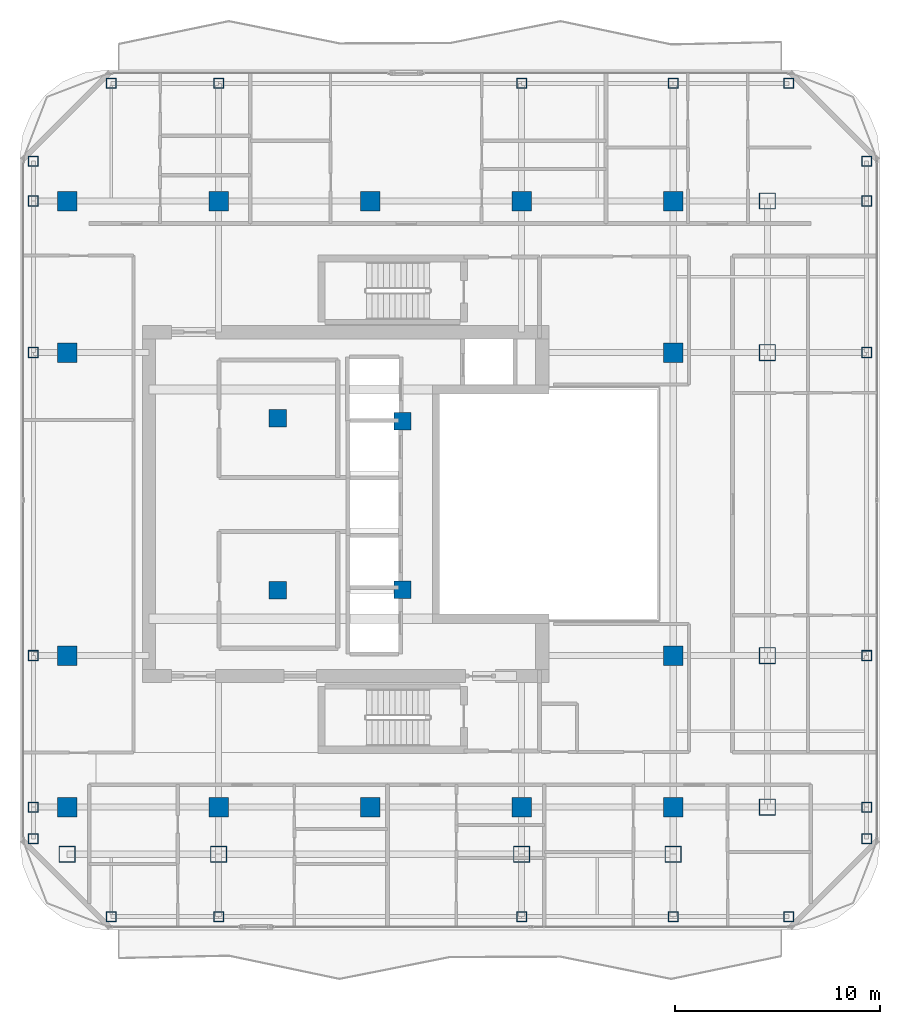
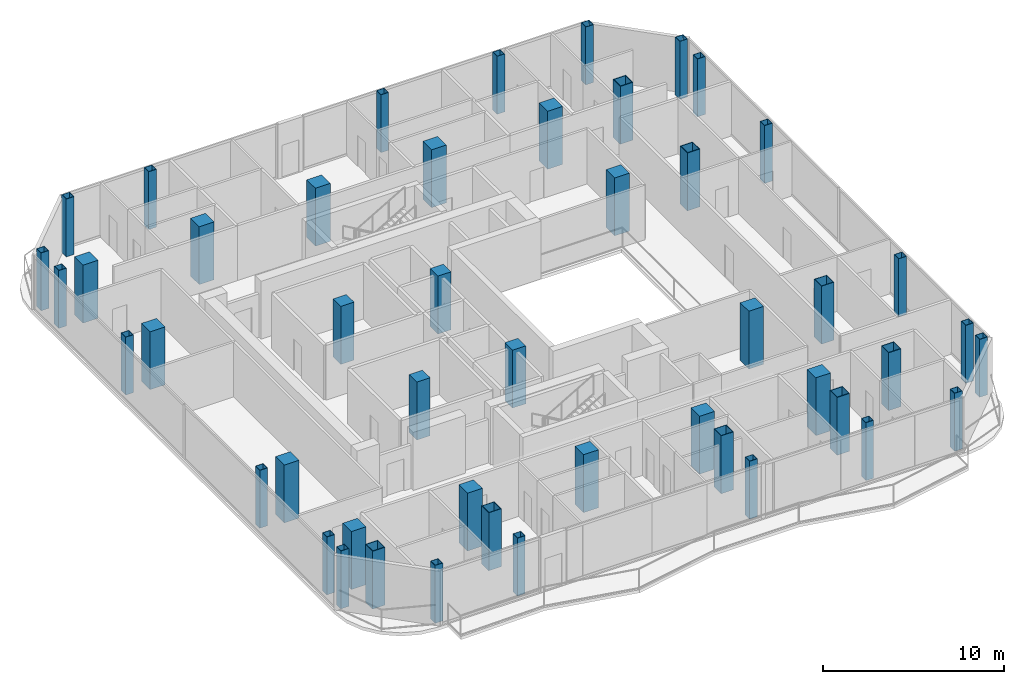
# One storey, part 1 of 23: 48 columns.
"""IFC4 building model written with IfcOpenShell, lengths in metres."""

from ifc_helpers import new_model, si_unit, direction, frame, origin, origin_2d, place, context, subcontext, project, spatial, rectangle, hollow_rectangle, extrude, material, material_profile, profile_set, type_object, element, save


model = new_model("IFC4")

# Units and contexts
model_context = context("Model", 3, precision=1e-05, world=origin(), true_north=direction((0.0, 1.0)))
body_context = subcontext(model_context, "Body", "Model", "MODEL_VIEW")
ifc_project = project(units=[si_unit("LENGTHUNIT", "METRE"), si_unit("AREAUNIT", "SQUARE_METRE"), si_unit("VOLUMEUNIT", "CUBIC_METRE"), si_unit("PLANEANGLEUNIT", "RADIAN"), si_unit("MASSUNIT", "GRAM", prefix="KILO")], contexts=[model_context])

# Site, building, storey
site_placement = place(None, origin())
site = spatial("IfcSite", under=ifc_project, at=site_placement, CompositionType="ELEMENT")
building_placement = place(site_placement, origin())
building = spatial("IfcBuilding", under=site, at=building_placement, Name="Khorvyn Point Tower", CompositionType="ELEMENT")
storey_placement = place(building_placement, frame((0.0, 0.0, 274.199951171875)))
storey = spatial("IfcBuildingStorey", under=building, at=storey_placement, Name="L67", CompositionType="ELEMENT", Elevation=274.199951171875)

# Columns
ifc_material_1 = material(Name="Concrete C40/50", Category="concrete")
ifc_material_profile_1 = material_profile(ifc_material_1, rectangle(XDim=0.85009765625, YDim=0.85009765625, at=origin_2d()))
ifc_profile_set_1 = profile_set([ifc_material_profile_1], Name="Concrete C40/50 RC850x850")
column_type_1 = type_object("IfcColumnType", Name="Concrete C40/50 Column RC850x850", PredefinedType="COLUMN", material=ifc_profile_set_1)
for number, where, z_axis, x_axis, name in (
    (1, (-4.52001953125, -4.199951171875, 0.0), (0.0, 0.0, 1.0), (1.0, 0.0, 0.0), "L67 Crown Core Spine Column 1"),
    (2, (1.580078125, -4.179931640625, 0.0), (0.0, 0.0, 1.0), (1.0, 0.0, 0.0), "L67 Crown Core Spine Column 2"),
    (3, (1.580078125, 4.050048828125, 0.0), (0.0, 0.0, 1.0), (1.0, 0.0, 0.0), "L67 Crown Core Spine Column 3"),
    (4, (-4.52001953125, 4.199951171875, 0.0), (0.0, 0.0, 1.0), (1.0, 0.0, 0.0), "L67 Crown Core Spine Column 4"),
):
    element("IfcColumn", number, at=place(storey_placement, frame(where, z_axis=z_axis, x_axis=x_axis)), inside=storey, type_object=column_type_1, Name=name, PredefinedType="COLUMN", context=body_context, shape_type="SweptSolid", body=[
        extrude(rectangle(XDim=0.85009765625, YDim=0.85009765625, at=origin_2d()), origin(), (0.0, 0.0, 1.0), 3.900146484375),
    ])
ifc_material_profile_2 = material_profile(ifc_material_1, rectangle(XDim=0.949951171875, YDim=0.949951171875, at=origin_2d()))
ifc_profile_set_2 = profile_set([ifc_material_profile_2], Name="Concrete C40/50 RC950x950")
column_type_2 = type_object("IfcColumnType", Name="Concrete C40/50 Column RC950x950", PredefinedType="COLUMN", material=ifc_profile_set_2)
for number, where, z_axis, x_axis, name in (
    (5, (-14.800048828125, -14.800048828125, 0.0), (0.0, 0.0, 1.0), (1.0, 0.0, 0.0), "L67 Mega-Column MC-01"),
    (6, (-7.39990234375, -14.800048828125, 0.0), (0.0, 0.0, 1.0), (1.0, 0.0, 0.0), "L67 Mega-Column MC-02"),
    (7, (0.0, -14.800048828125, 0.0), (0.0, 0.0, 1.0), (1.0, 0.0, 0.0), "L67 Mega-Column MC-03"),
    (8, (7.39990234375, -14.800048828125, 0.0), (0.0, 0.0, 1.0), (1.0, 0.0, 0.0), "L67 Mega-Column MC-04"),
    (9, (14.800048828125, -14.800048828125, 0.0), (0.0, 0.0, 1.0), (1.0, 0.0, 0.0), "L67 Mega-Column MC-05"),
    (10, (-14.800048828125, 14.800048828125, 0.0), (0.0, 0.0, 1.0), (1.0, 0.0, 0.0), "L67 Mega-Column MC-06"),
    (11, (-7.39990234375, 14.800048828125, 0.0), (0.0, 0.0, 1.0), (1.0, 0.0, 0.0), "L67 Mega-Column MC-07"),
    (12, (0.0, 14.800048828125, 0.0), (0.0, 0.0, 1.0), (1.0, 0.0, 0.0), "L67 Mega-Column MC-08"),
    (13, (7.39990234375, 14.800048828125, 0.0), (0.0, 0.0, 1.0), (1.0, 0.0, 0.0), "L67 Mega-Column MC-09"),
    (14, (14.800048828125, 14.800048828125, 0.0), (0.0, 0.0, 1.0), (1.0, 0.0, 0.0), "L67 Mega-Column MC-10"),
    (15, (-14.800048828125, -7.39990234375, 0.0), (0.0, 0.0, 1.0), (1.0, 0.0, 0.0), "L67 Mega-Column MC-11"),
    (16, (-14.800048828125, 7.39990234375, 0.0), (0.0, 0.0, 1.0), (1.0, 0.0, 0.0), "L67 Mega-Column MC-12"),
    (17, (14.800048828125, -7.39990234375, 0.0), (0.0, 0.0, 1.0), (1.0, 0.0, 0.0), "L67 Mega-Column MC-13"),
    (18, (14.800048828125, 7.39990234375, 0.0), (0.0, 0.0, 1.0), (1.0, 0.0, 0.0), "L67 Mega-Column MC-14"),
):
    element("IfcColumn", number, at=place(storey_placement, frame(where, z_axis=z_axis, x_axis=x_axis)), inside=storey, type_object=column_type_2, Name=name, PredefinedType="COLUMN", context=body_context, shape_type="SweptSolid", body=[
        extrude(rectangle(XDim=0.949951171875, YDim=0.949951171875, at=origin_2d()), origin(), (0.0, 0.0, 1.0), 3.900146484375),
    ])
ifc_material_2 = material(Name="Steel S355", Category="steel")
ifc_material_profile_3 = material_profile(ifc_material_2, hollow_rectangle(XDim=0.5, YDim=0.5, WallThickness=0.02490234375, at=origin_2d()))
ifc_profile_set_3 = profile_set([ifc_material_profile_3], Name="Steel S355 BOX500x500x25")
column_type_3 = type_object("IfcColumnType", Name="Steel S355 Structural Column BOX500x500x25", PredefinedType="COLUMN", material=ifc_profile_set_3)
for number, where, z_axis, x_axis, name in (
    (19, (-12.64990234375, -20.14990234375, 0.0), (0.0, 0.0, 1.0), (1.0, 0.0, 0.0), "L67 Perimeter Tube Column TC-01"),
    (20, (20.449951171875, -20.14990234375, 0.0), (0.0, 0.0, 1.0), (1.0, 0.0, 0.0), "L67 Perimeter Tube Column TC-02"),
    (21, (-12.64990234375, 20.550048828125, 0.0), (0.0, 0.0, 1.0), (1.0, 0.0, 0.0), "L67 Perimeter Tube Column TC-03"),
    (22, (20.449951171875, 20.550048828125, 0.0), (0.0, 0.0, 1.0), (1.0, 0.0, 0.0), "L67 Perimeter Tube Column TC-04"),
    (23, (-16.449951171875, -16.35009765625, 0.0), (0.0, 0.0, 1.0), (1.0, 0.0, 0.0), "L67 Perimeter Tube Column TC-05"),
    (24, (-16.449951171875, 16.75, 0.0), (0.0, 0.0, 1.0), (1.0, 0.0, 0.0), "L67 Perimeter Tube Column TC-06"),
    (25, (24.25, -16.35009765625, 0.0), (0.0, 0.0, 1.0), (1.0, 0.0, 0.0), "L67 Perimeter Tube Column TC-07"),
    (26, (24.25, 16.75, 0.0), (0.0, 0.0, 1.0), (1.0, 0.0, 0.0), "L67 Perimeter Tube Column TC-08"),
    (27, (-7.39990234375, -20.14990234375, 0.0), (0.0, 0.0, 1.0), (1.0, 0.0, 0.0), "L67 Perimeter Tube Column TC-09"),
    (28, (-7.39990234375, 20.550048828125, 0.0), (0.0, 0.0, 1.0), (1.0, 0.0, 0.0), "L67 Perimeter Tube Column TC-10"),
    (29, (7.39990234375, -20.14990234375, 0.0), (0.0, 0.0, 1.0), (1.0, 0.0, 0.0), "L67 Perimeter Tube Column TC-11"),
    (30, (7.39990234375, 20.550048828125, 0.0), (0.0, 0.0, 1.0), (1.0, 0.0, 0.0), "L67 Perimeter Tube Column TC-12"),
    (31, (14.800048828125, -20.14990234375, 0.0), (0.0, 0.0, 1.0), (1.0, 0.0, 0.0), "L67 Perimeter Tube Column TC-13"),
    (32, (14.800048828125, 20.550048828125, 0.0), (0.0, 0.0, 1.0), (1.0, 0.0, 0.0), "L67 Perimeter Tube Column TC-14"),
    (33, (-16.449951171875, -14.800048828125, 0.0), (0.0, 0.0, 1.0), (1.0, 0.0, 0.0), "L67 Perimeter Tube Column TC-15"),
    (34, (24.25, -14.800048828125, 0.0), (0.0, 0.0, 1.0), (1.0, 0.0, 0.0), "L67 Perimeter Tube Column TC-16"),
    (35, (-16.449951171875, -7.39990234375, 0.0), (0.0, 0.0, 1.0), (1.0, 0.0, 0.0), "L67 Perimeter Tube Column TC-17"),
    (36, (24.25, -7.39990234375, 0.0), (0.0, 0.0, 1.0), (1.0, 0.0, 0.0), "L67 Perimeter Tube Column TC-18"),
    (37, (-16.449951171875, 7.39990234375, 0.0), (0.0, 0.0, 1.0), (1.0, 0.0, 0.0), "L67 Perimeter Tube Column TC-19"),
    (38, (24.25, 7.39990234375, 0.0), (0.0, 0.0, 1.0), (1.0, 0.0, 0.0), "L67 Perimeter Tube Column TC-20"),
    (39, (-16.449951171875, 14.800048828125, 0.0), (0.0, 0.0, 1.0), (1.0, 0.0, 0.0), "L67 Perimeter Tube Column TC-21"),
    (40, (24.25, 14.800048828125, 0.0), (0.0, 0.0, 1.0), (1.0, 0.0, 0.0), "L67 Perimeter Tube Column TC-22"),
):
    element("IfcColumn", number, at=place(storey_placement, frame(where, z_axis=z_axis, x_axis=x_axis)), inside=storey, type_object=column_type_3, Name=name, PredefinedType="COLUMN", context=body_context, shape_type="SweptSolid", body=[
        extrude(hollow_rectangle(XDim=0.5, YDim=0.5, WallThickness=0.02490234375, at=origin_2d()), origin(), (0.0, 0.0, 1.0), 3.900146484375),
    ])
ifc_material_3 = material(Name="Steel S450", Category="steel")
ifc_material_profile_4 = material_profile(ifc_material_3, hollow_rectangle(XDim=0.800048828125, YDim=0.800048828125, WallThickness=0.035888671875, at=origin_2d()))
ifc_profile_set_4 = profile_set([ifc_material_profile_4], Name="Steel S450 BOX800x800x36")
column_type_4 = type_object("IfcColumnType", Name="Steel S450 Structural Column BOX800x800x36", PredefinedType="COLUMN", material=ifc_profile_set_4)
for number, where, z_axis, x_axis, name in (
    (41, (19.39990234375, -14.800048828125, 0.0), (0.0, 0.0, 1.0), (1.0, 0.0, 0.0), "L67 Intermediate Column ICE--14"),
    (42, (19.39990234375, -7.39990234375, 0.0), (0.0, 0.0, 1.0), (1.0, 0.0, 0.0), "L67 Intermediate Column ICE--7"),
    (43, (19.39990234375, 7.39990234375, 0.0), (0.0, 0.0, 1.0), (1.0, 0.0, 0.0), "L67 Intermediate Column ICE-7"),
    (44, (19.39990234375, 14.800048828125, 0.0), (0.0, 0.0, 1.0), (1.0, 0.0, 0.0), "L67 Intermediate Column ICE-14"),
    (45, (-14.800048828125, -17.10009765625, 0.0), (0.0, 0.0, 1.0), (1.0, 0.0, 0.0), "L67 Intermediate Column ICS--14"),
    (46, (-7.39990234375, -17.10009765625, 0.0), (0.0, 0.0, 1.0), (1.0, 0.0, 0.0), "L67 Intermediate Column ICS--7"),
    (47, (7.39990234375, -17.10009765625, 0.0), (0.0, 0.0, 1.0), (1.0, 0.0, 0.0), "L67 Intermediate Column ICS-7"),
    (48, (14.800048828125, -17.10009765625, 0.0), (0.0, 0.0, 1.0), (1.0, 0.0, 0.0), "L67 Intermediate Column ICS-14"),
):
    element("IfcColumn", number, at=place(storey_placement, frame(where, z_axis=z_axis, x_axis=x_axis)), inside=storey, type_object=column_type_4, Name=name, PredefinedType="COLUMN", context=body_context, shape_type="SweptSolid", body=[
        extrude(hollow_rectangle(XDim=0.800048828125, YDim=0.800048828125, WallThickness=0.035888671875, at=origin_2d()), origin(), (0.0, 0.0, 1.0), 3.900146484375),
    ])

save(model, "model.ifc")
